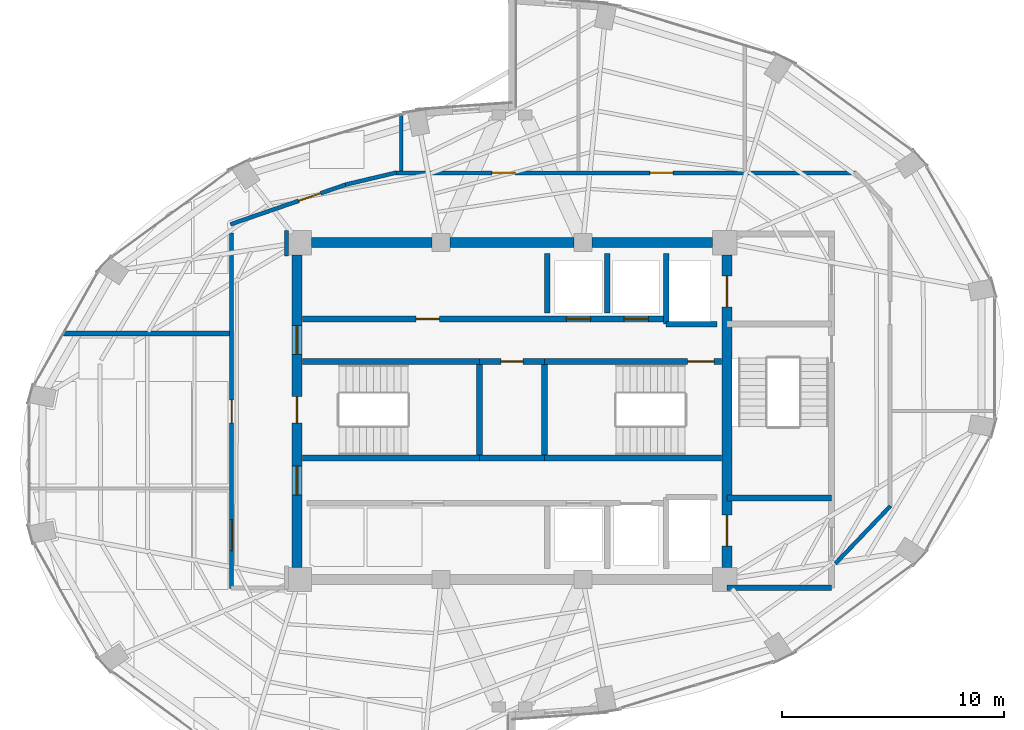
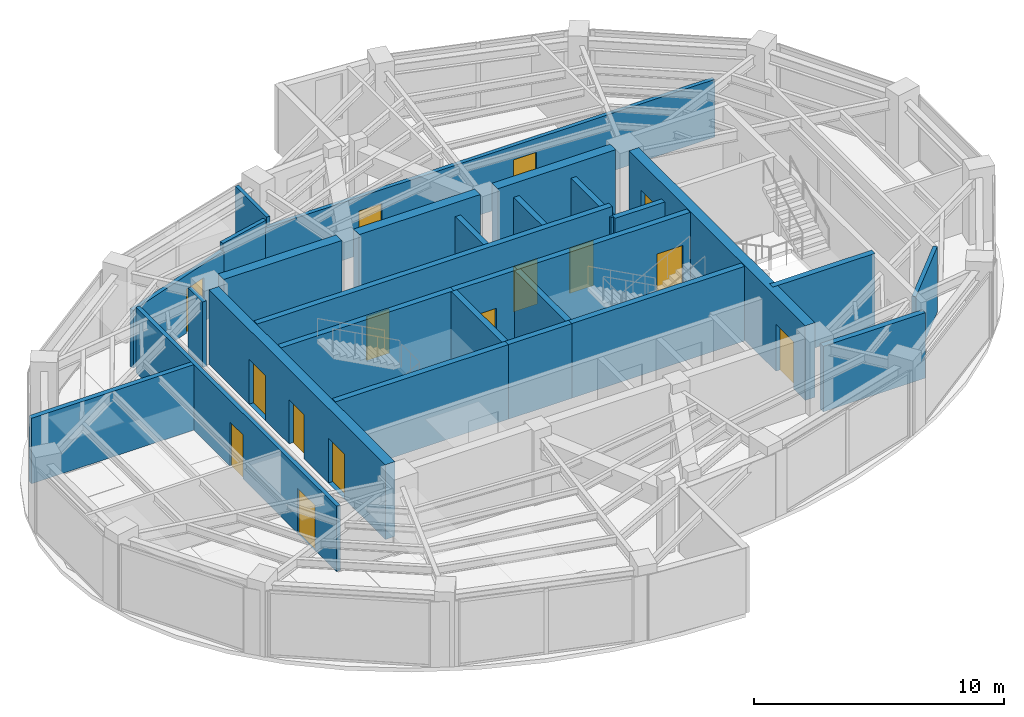
# One storey, part 19 of 22: 28 walls, 15 doors, 15 openings.
"""IFC4 building model written with IfcOpenShell, lengths in metres."""

from ifc_helpers import new_model, si_unit, direction, frame, frame_2d, origin, place, context, subcontext, project, spatial, rectangle, extrude, material, layer, layer_set, type_object, element, fill, save


model = new_model("IFC4")

# Units and contexts
model_context = context("Model", 3, precision=1e-05, world=origin(), true_north=direction((0.0, 1.0)))
body_context = subcontext(model_context, "Body", "Model", "MODEL_VIEW")
ifc_project = project(units=[si_unit("LENGTHUNIT", "METRE"), si_unit("AREAUNIT", "SQUARE_METRE"), si_unit("VOLUMEUNIT", "CUBIC_METRE"), si_unit("PLANEANGLEUNIT", "RADIAN"), si_unit("MASSUNIT", "GRAM", prefix="KILO")], contexts=[model_context])

# Site, building, storey
site_placement = place(None, origin())
site = spatial("IfcSite", under=ifc_project, at=site_placement, CompositionType="ELEMENT")
building_placement = place(site_placement, origin())
building = spatial("IfcBuilding", under=site, at=building_placement, Name="Lazwardi Medical Tower", CompositionType="ELEMENT")
storey_placement = place(building_placement, frame((0.0, 0.0, 242.256103515625)))
storey = spatial("IfcBuildingStorey", under=building, at=storey_placement, Name="L63", CompositionType="ELEMENT", Elevation=242.256103515625)

# Wall, opening, door
ifc_material_1 = material(Name="Fire-rated gypsum board on steel stud", Category="steel")
ifc_layer_1 = layer(ifc_material_1, 0.179931640625)
ifc_layer_set_1 = layer_set([ifc_layer_1], Name="Fire-rated gypsum board on steel stud")
wall_type_1 = type_object("IfcWallType", Name="WL-COR-180", PredefinedType="PARTITIONING", material=ifc_layer_set_1)
wall_1_placement = place(storey_placement, frame((23.294189453125, 36.422119140625, 0.0), z_axis=(0.0, 0.0, 1.0), x_axis=(0.945493277461, 0.325641616316, 0.0)))
wall_1 = element("IfcWall", 1, at=wall_1_placement, inside=storey, type_object=wall_type_1, Name="L63 Corridor partition 1", PredefinedType="PARTITIONING", context=body_context, shape_type="SweptSolid", body=[
    extrude(rectangle(XDim=5.5615234375, YDim=0.179931640625, at=frame_2d((2.78076171875, 0.0))), origin(), (0.0, 0.0, 1.0), 2.822998046875),
])
opening_1_placement = place(wall_1_placement, frame((3.255859375, 0.0, 0.0)))
opening_1 = element("IfcOpeningElement", 2, at=opening_1_placement, cuts=wall_1, Name="Opening D-L63-013", PredefinedType="OPENING", context=body_context, shape_type="SweptSolid", body=[
    extrude(rectangle(XDim=1.050048828125, YDim=2.14990234375, at=frame_2d((0.52490234375, 1.074951171875))), frame((0.0, 0.099853515625, 0.0), z_axis=(0.0, -1.0, 0.0), x_axis=(1.0, 0.0, 0.0)), (0.0, 0.0, 1.0), 0.199951171875),
])
ifc_material_2 = material(Name="Anti-microbial laminate hospital leaf")
door_type_1 = type_object("IfcDoorType", Name="DR-CLN-1050", OperationType="NOTDEFINED", PredefinedType="DOOR", material=ifc_material_2)
door_1_placement = place(opening_1_placement, origin())
door_1 = element("IfcDoor", 3, at=door_1_placement, inside=storey, type_object=door_type_1, Name="L63 Outpatient Clinic Door 06", OperationType="SINGLE_SWING_RIGHT", OverallHeight=2.14990234375, OverallWidth=1.050048828125, PredefinedType="DOOR", context=body_context, shape_type="SweptSolid", body=[
    extrude(rectangle(XDim=1.050048828125, YDim=2.14990234375, at=frame_2d((0.52490234375, 1.074951171875))), frame((0.0, 0.02490234375, 0.0), z_axis=(0.0, -1.0, 0.0), x_axis=(1.0, 0.0, 0.0)), (0.0, 0.0, 1.0), 0.050048828125),
])
fill(opening_1, door_1)

# Wall
wall_2_placement = place(storey_placement, frame((28.475830078125, 38.2109375, 0.0), z_axis=(0.0, 0.0, 1.0), x_axis=(0.973030562203, 0.230676234189, 0.0)))
element("IfcWall", 4, at=wall_2_placement, inside=storey, type_object=wall_type_1, Name="L63 Corridor partition 2", PredefinedType="PARTITIONING", context=body_context, shape_type="SweptSolid", body=[
    extrude(rectangle(XDim=2.377197265625, YDim=0.179931640625, at=frame_2d((1.1884765625, 0.0))), origin(), (0.0, 0.0, 1.0), 3.197998046875),
])

# Wall, openings, doors
wall_3_placement = place(storey_placement, frame((30.709716796875, 38.75, 0.0), z_axis=(0.0, 0.0, 1.0), x_axis=(1.0, 0.0, 0.0)))
wall_3 = element("IfcWall", 5, at=wall_3_placement, inside=storey, type_object=wall_type_1, Name="L63 Corridor partition 3", PredefinedType="PARTITIONING", context=body_context, shape_type="SweptSolid", body=[
    extrude(rectangle(XDim=20.8154296875, YDim=0.179931640625, at=frame_2d((10.40771484375, 0.0))), origin(), (0.0, 0.0, 1.0), 2.822998046875),
])
opening_2_placement = place(wall_3_placement, frame((11.51513671875, 0.0, 0.0)))
opening_2 = element("IfcOpeningElement", 6, at=opening_2_placement, cuts=wall_3, Name="Opening D-L63-011", PredefinedType="OPENING", context=body_context, shape_type="SweptSolid", body=[
    extrude(rectangle(XDim=1.050048828125, YDim=2.14990234375, at=frame_2d((0.52490234375, 1.074951171875))), frame((0.0, 0.099853515625, 0.0), z_axis=(0.0, -1.0, 0.0), x_axis=(1.0, 0.0, 0.0)), (0.0, 0.0, 1.0), 0.199951171875),
])
opening_3_placement = place(wall_3_placement, frame((4.379150390625, 0.0, 0.0)))
opening_3 = element("IfcOpeningElement", 7, at=opening_3_placement, cuts=wall_3, Name="Opening D-L63-012", PredefinedType="OPENING", context=body_context, shape_type="SweptSolid", body=[
    extrude(rectangle(XDim=1.050048828125, YDim=2.14990234375, at=frame_2d((0.52490234375, 1.074951171875))), frame((0.0, 0.099853515625, 0.0), z_axis=(0.0, -1.0, 0.0), x_axis=(1.0, 0.0, 0.0)), (0.0, 0.0, 1.0), 0.199951171875),
])
door_2_placement = place(opening_2_placement, origin())
door_2 = element("IfcDoor", 8, at=door_2_placement, inside=storey, type_object=door_type_1, Name="L63 Ward Dietetic Pantry Door 04", OperationType="SINGLE_SWING_RIGHT", OverallHeight=2.14990234375, OverallWidth=1.050048828125, PredefinedType="DOOR", context=body_context, shape_type="SweptSolid", body=[
    extrude(rectangle(XDim=1.050048828125, YDim=2.14990234375, at=frame_2d((0.52490234375, 1.074951171875))), frame((0.0, 0.02490234375, 0.0), z_axis=(0.0, -1.0, 0.0), x_axis=(1.0, 0.0, 0.0)), (0.0, 0.0, 1.0), 0.050048828125),
])
fill(opening_2, door_2)
door_3_placement = place(opening_3_placement, origin())
door_3 = element("IfcDoor", 9, at=door_3_placement, inside=storey, type_object=door_type_1, Name="L63 Outpatient Clinic Door 05", OperationType="SINGLE_SWING_LEFT", OverallHeight=2.14990234375, OverallWidth=1.050048828125, PredefinedType="DOOR", context=body_context, shape_type="SweptSolid", body=[
    extrude(rectangle(XDim=1.050048828125, YDim=2.14990234375, at=frame_2d((0.52490234375, 1.074951171875))), frame((0.0, 0.02490234375, 0.0), z_axis=(0.0, -1.0, 0.0), x_axis=(1.0, 0.0, 0.0)), (0.0, 0.0, 1.0), 0.050048828125),
])
fill(opening_3, door_3)

# Walls
wall_4_placement = place(storey_placement, frame((53.07763671875, 23.71435546875, 0.0), z_axis=(0.0, 0.0, 1.0), x_axis=(-0.691353379446, -0.722516785085, 0.0)))
element("IfcWall", 10, at=wall_4_placement, inside=storey, type_object=wall_type_1, Name="L63 Corridor partition 6", PredefinedType="PARTITIONING", context=body_context, shape_type="SweptSolid", body=[
    extrude(rectangle(XDim=3.603759765625, YDim=0.179931640625, at=frame_2d((1.8017578125, 0.0))), origin(), (0.0, 0.0, 1.0), 3.197998046875),
])
wall_5_placement = place(storey_placement, frame((25.830078125, 36.139892578125, 0.0), z_axis=(0.0, 0.0, 1.0), x_axis=(0.0, -1.0, 0.0)))
element("IfcWall", 11, at=wall_5_placement, inside=storey, type_object=wall_type_1, Name="L63 Corridor partition 7", PredefinedType="PARTITIONING", context=body_context, shape_type="SweptSolid", body=[
    extrude(rectangle(XDim=1.14990234375, YDim=0.179931640625, at=frame_2d((0.574951171875, 0.0))), origin(), (0.0, 0.0, 1.0), 3.197998046875),
])

# Wall, openings, doors
wall_6_placement = place(storey_placement, frame((23.35009765625, 19.97998046875, 0.0), z_axis=(0.0, 0.0, 1.0), x_axis=(0.0, 1.0, 0.0)))
wall_6 = element("IfcWall", 12, at=wall_6_placement, inside=storey, type_object=wall_type_1, Name="L63 Corridor partition 10", PredefinedType="PARTITIONING", context=body_context, shape_type="SweptSolid", body=[
    extrude(rectangle(XDim=16.04248046875, YDim=0.179931640625, at=frame_2d((8.021240234375, 0.0))), origin(), (0.0, 0.0, 1.0), 3.197998046875),
])
opening_4_placement = place(wall_6_placement, frame((7.4775390625, 0.0, 0.0)))
opening_4 = element("IfcOpeningElement", 13, at=opening_4_placement, cuts=wall_6, Name="Opening D-L63-008", PredefinedType="OPENING", context=body_context, shape_type="SweptSolid", body=[
    extrude(rectangle(XDim=1.050048828125, YDim=2.14990234375, at=frame_2d((0.52490234375, 1.074951171875))), frame((0.0, 0.099853515625, 0.0), z_axis=(0.0, -1.0, 0.0), x_axis=(1.0, 0.0, 0.0)), (0.0, 0.0, 1.0), 0.199951171875),
])
opening_5_placement = place(wall_6_placement, frame((1.718994140625, 0.0, 0.0)))
opening_5 = element("IfcOpeningElement", 14, at=opening_5_placement, cuts=wall_6, Name="Opening D-L63-009", PredefinedType="OPENING", context=body_context, shape_type="SweptSolid", body=[
    extrude(rectangle(XDim=1.39990234375, YDim=2.199951171875, at=frame_2d((0.699951171875, 1.10009765625))), frame((0.0, 0.099853515625, 0.0), z_axis=(0.0, -1.0, 0.0), x_axis=(1.0, 0.0, 0.0)), (0.0, 0.0, 1.0), 0.199951171875),
])
door_type_2 = type_object("IfcDoorType", Name="DR-BED-1400", OperationType="NOTDEFINED", PredefinedType="DOOR", material=ifc_material_2)
door_4_placement = place(opening_5_placement, origin())
door_4 = element("IfcDoor", 15, at=door_4_placement, inside=storey, type_object=door_type_2, Name="L63 Rehabilitation Gymnasium Door 02", OperationType="SINGLE_SWING_RIGHT", OverallHeight=2.199951171875, OverallWidth=1.39990234375, PredefinedType="DOOR", context=body_context, shape_type="SweptSolid", body=[
    extrude(rectangle(XDim=1.39990234375, YDim=2.199951171875, at=frame_2d((0.699951171875, 1.10009765625))), frame((0.0, 0.02490234375, 0.0), z_axis=(0.0, -1.0, 0.0), x_axis=(1.0, 0.0, 0.0)), (0.0, 0.0, 1.0), 0.050048828125),
])
fill(opening_5, door_4)
door_5_placement = place(opening_4_placement, origin())
door_5 = element("IfcDoor", 16, at=door_5_placement, inside=storey, type_object=door_type_1, Name="L63 Outpatient Clinic Door 01", OperationType="SINGLE_SWING_LEFT", OverallHeight=2.14990234375, OverallWidth=1.050048828125, PredefinedType="DOOR", context=body_context, shape_type="SweptSolid", body=[
    extrude(rectangle(XDim=1.050048828125, YDim=2.14990234375, at=frame_2d((0.52490234375, 1.074951171875))), frame((0.0, 0.02490234375, 0.0), z_axis=(0.0, -1.0, 0.0), x_axis=(1.0, 0.0, 0.0)), (0.0, 0.0, 1.0), 0.050048828125),
])
fill(opening_4, door_5)

ifc_material_3 = material(Name="Concrete C60/75", Category="concrete")
ifc_layer_2 = layer(ifc_material_3, 0.449951171875)
ifc_layer_set_2 = layer_set([ifc_layer_2], Name="Concrete C60/75")
wall_type_2 = type_object("IfcWallType", Name="WL-CORE-450", PredefinedType="SHEAR", material=ifc_layer_set_2)
wall_7_placement = place(storey_placement, frame((26.300048828125, 20.949951171875, 0.0), z_axis=(0.0, 0.0, 1.0), x_axis=(0.0, 1.0, 0.0)))
wall_7 = element("IfcWall", 17, at=wall_7_placement, inside=storey, type_object=wall_type_2, Name="Core wall CW-S4 west L63", PredefinedType="SHEAR", context=body_context, shape_type="SweptSolid", body=[
    extrude(rectangle(XDim=14.10009765625, YDim=0.449951171875, at=frame_2d((7.050048828125, 0.0))), origin(), (0.0, 0.0, 1.0), 3.64794921875),
])
opening_6_placement = place(wall_7_placement, frame((6.5, 0.0, 0.0)))
opening_6 = element("IfcOpeningElement", 18, at=opening_6_placement, cuts=wall_7, Name="Opening D-L63-014", PredefinedType="OPENING", context=body_context, shape_type="SweptSolid", body=[
    extrude(rectangle(XDim=1.199951171875, YDim=2.14990234375, at=frame_2d((0.60009765625, 1.074951171875))), frame((0.0, 0.23486328125, 0.0), z_axis=(0.0, -1.0, 0.0), x_axis=(1.0, 0.0, 0.0)), (0.0, 0.0, 1.0), 0.469970703125),
])
opening_7_placement = place(wall_7_placement, frame((9.60009765625, 0.0, 0.0)))
opening_7 = element("IfcOpeningElement", 19, at=opening_7_placement, cuts=wall_7, Name="Opening D-L63-006", PredefinedType="OPENING", context=body_context, shape_type="SweptSolid", body=[
    extrude(rectangle(XDim=1.300048828125, YDim=2.199951171875, at=frame_2d((0.64990234375, 1.10009765625))), frame((0.0, 0.23486328125, 0.0), z_axis=(0.0, -1.0, 0.0), x_axis=(1.0, 0.0, 0.0)), (0.0, 0.0, 1.0), 0.469970703125),
])
opening_8_placement = place(wall_7_placement, frame((3.260009765625, 0.0, 0.0)))
opening_8 = element("IfcOpeningElement", 20, at=opening_8_placement, cuts=wall_7, Name="Opening D-L63-007", PredefinedType="OPENING", context=body_context, shape_type="SweptSolid", body=[
    extrude(rectangle(XDim=1.300048828125, YDim=2.199951171875, at=frame_2d((0.64990234375, 1.10009765625))), frame((0.0, 0.23486328125, 0.0), z_axis=(0.0, -1.0, 0.0), x_axis=(1.0, 0.0, 0.0)), (0.0, 0.0, 1.0), 0.469970703125),
])
ifc_material_4 = material(Name="Fire-rated steel leaf and frame", Category="steel")
door_type_3 = type_object("IfcDoorType", Name="DR-FFL-1300", OperationType="NOTDEFINED", PredefinedType="DOOR", material=ifc_material_4)
door_6_placement = place(opening_7_placement, origin())
door_6 = element("IfcDoor", 21, at=door_6_placement, inside=storey, type_object=door_type_3, Name="L63 North Lift Lobby Door", OperationType="SINGLE_SWING_RIGHT", OverallHeight=2.199951171875, OverallWidth=1.300048828125, PredefinedType="DOOR", context=body_context, shape_type="SweptSolid", body=[
    extrude(rectangle(XDim=1.300048828125, YDim=2.199951171875, at=frame_2d((0.64990234375, 1.10009765625))), frame((0.0, 0.02490234375, 0.0), z_axis=(0.0, -1.0, 0.0), x_axis=(1.0, 0.0, 0.0)), (0.0, 0.0, 1.0), 0.050048828125),
])
fill(opening_7, door_6)
door_7_placement = place(opening_8_placement, origin())
door_7 = element("IfcDoor", 22, at=door_7_placement, inside=storey, type_object=door_type_3, Name="L63 South Lift Lobby Door", OperationType="SINGLE_SWING_LEFT", OverallHeight=2.199951171875, OverallWidth=1.300048828125, PredefinedType="DOOR", context=body_context, shape_type="SweptSolid", body=[
    extrude(rectangle(XDim=1.300048828125, YDim=2.199951171875, at=frame_2d((0.64990234375, 1.10009765625))), frame((0.0, 0.02490234375, 0.0), z_axis=(0.0, -1.0, 0.0), x_axis=(1.0, 0.0, 0.0)), (0.0, 0.0, 1.0), 0.050048828125),
])
fill(opening_8, door_7)
door_type_4 = type_object("IfcDoorType", Name="DR-STR-1200", OperationType="NOTDEFINED", PredefinedType="DOOR", material=ifc_material_4)
door_8_placement = place(opening_6_placement, origin())
door_8 = element("IfcDoor", 23, at=door_8_placement, inside=storey, type_object=door_type_4, Name="L63 Exit Stair ST1 Door", OperationType="SINGLE_SWING_LEFT", OverallHeight=2.14990234375, OverallWidth=1.199951171875, PredefinedType="DOOR", context=body_context, shape_type="SweptSolid", body=[
    extrude(rectangle(XDim=1.199951171875, YDim=2.14990234375, at=frame_2d((0.60009765625, 1.074951171875))), frame((0.0, 0.02490234375, 0.0), z_axis=(0.0, -1.0, 0.0), x_axis=(1.0, 0.0, 0.0)), (0.0, 0.0, 1.0), 0.050048828125),
])
fill(opening_6, door_8)

wall_8_placement = place(storey_placement, frame((45.699951171875, 20.949951171875, 0.0), z_axis=(0.0, 0.0, 1.0), x_axis=(0.0, 1.0, 0.0)))
wall_8 = element("IfcWall", 24, at=wall_8_placement, inside=storey, type_object=wall_type_2, Name="Core wall CW-S4 east L63", PredefinedType="SHEAR", context=body_context, shape_type="SweptSolid", body=[
    extrude(rectangle(XDim=14.10009765625, YDim=0.449951171875, at=frame_2d((7.050048828125, 0.0))), origin(), (0.0, 0.0, 1.0), 3.64794921875),
])
opening_9_placement = place(wall_8_placement, frame((11.75, 0.0, 0.0)))
opening_9 = element("IfcOpeningElement", 25, at=opening_9_placement, cuts=wall_8, Name="Opening LD-L63-001", PredefinedType="OPENING", context=body_context, shape_type="SweptSolid", body=[
    extrude(rectangle(XDim=1.39990234375, YDim=2.300048828125, at=frame_2d((0.699951171875, 1.14990234375))), frame((0.0, 0.23486328125, 0.0), z_axis=(0.0, -1.0, 0.0), x_axis=(1.0, 0.0, 0.0)), (0.0, 0.0, 1.0), 0.469970703125),
])
opening_10_placement = place(wall_8_placement, frame((0.949951171875, 0.0, 0.0)))
opening_10 = element("IfcOpeningElement", 26, at=opening_10_placement, cuts=wall_8, Name="Opening LD-L63-002", PredefinedType="OPENING", context=body_context, shape_type="SweptSolid", body=[
    extrude(rectangle(XDim=1.39990234375, YDim=2.300048828125, at=frame_2d((0.699951171875, 1.14990234375))), frame((0.0, 0.23486328125, 0.0), z_axis=(0.0, -1.0, 0.0), x_axis=(1.0, 0.0, 0.0)), (0.0, 0.0, 1.0), 0.469970703125),
])
ifc_material_5 = material(Name="Brushed stainless steel bed-lift landing door", Category="steel")
door_type_5 = type_object("IfcDoorType", Name="DR-LFT-1400", OperationType="NOTDEFINED", PredefinedType="DOOR", material=ifc_material_5)
door_9_placement = place(opening_9_placement, origin())
door_9 = element("IfcDoor", 27, at=door_9_placement, inside=storey, type_object=door_type_5, Name="L63 Lift Landing Door FL-01", OperationType="SLIDING_TO_LEFT", OverallHeight=2.300048828125, OverallWidth=1.39990234375, PredefinedType="DOOR", context=body_context, shape_type="SweptSolid", body=[
    extrude(rectangle(XDim=1.39990234375, YDim=2.300048828125, at=frame_2d((0.699951171875, 1.14990234375))), frame((0.0, 0.02490234375, 0.0), z_axis=(0.0, -1.0, 0.0), x_axis=(1.0, 0.0, 0.0)), (0.0, 0.0, 1.0), 0.050048828125),
])
fill(opening_9, door_9)
door_10_placement = place(opening_10_placement, origin())
door_10 = element("IfcDoor", 28, at=door_10_placement, inside=storey, type_object=door_type_5, Name="L63 Lift Landing Door FL-02", OperationType="SLIDING_TO_LEFT", OverallHeight=2.300048828125, OverallWidth=1.39990234375, PredefinedType="DOOR", context=body_context, shape_type="SweptSolid", body=[
    extrude(rectangle(XDim=1.39990234375, YDim=2.300048828125, at=frame_2d((0.699951171875, 1.14990234375))), frame((0.0, 0.02490234375, 0.0), z_axis=(0.0, -1.0, 0.0), x_axis=(1.0, 0.0, 0.0)), (0.0, 0.0, 1.0), 0.050048828125),
])
fill(opening_10, door_10)

# Walls
wall_9_placement = place(storey_placement, frame((26.949951171875, 35.60009765625, 0.0), z_axis=(0.0, 0.0, 1.0), x_axis=(1.0, 0.0, 0.0)))
element("IfcWall", 29, at=wall_9_placement, inside=storey, type_object=wall_type_2, Name="Core wall CW-S4 N1 L63", PredefinedType="SHEAR", context=body_context, shape_type="SweptSolid", body=[
    extrude(rectangle(XDim=5.449951171875, YDim=0.449951171875, at=frame_2d((2.72509765625, 0.0))), origin(), (0.0, 0.0, 1.0), 3.64794921875),
])
wall_10_placement = place(storey_placement, frame((33.199951171875, 35.60009765625, 0.0), z_axis=(0.0, 0.0, 1.0), x_axis=(1.0, 0.0, 0.0)))
element("IfcWall", 30, at=wall_10_placement, inside=storey, type_object=wall_type_2, Name="Core wall CW-S4 N2 L63", PredefinedType="SHEAR", context=body_context, shape_type="SweptSolid", body=[
    extrude(rectangle(XDim=5.60009765625, YDim=0.449951171875, at=frame_2d((2.800048828125, 0.0))), origin(), (0.0, 0.0, 1.0), 3.64794921875),
])
wall_11_placement = place(storey_placement, frame((39.60009765625, 35.60009765625, 0.0), z_axis=(0.0, 0.0, 1.0), x_axis=(1.0, 0.0, 0.0)))
element("IfcWall", 31, at=wall_11_placement, inside=storey, type_object=wall_type_2, Name="Core wall CW-S4 N3 L63", PredefinedType="SHEAR", context=body_context, shape_type="SweptSolid", body=[
    extrude(rectangle(XDim=5.449951171875, YDim=0.449951171875, at=frame_2d((2.72509765625, 0.0))), origin(), (0.0, 0.0, 1.0), 3.64794921875),
])
ifc_material_6 = material(Name="Autoclaved aerated concrete blockwork", Category="masonry")
ifc_layer_3 = layer(ifc_material_6, 0.25)
ifc_layer_set_3 = layer_set([ifc_layer_3], Name="Autoclaved aerated concrete blockwork")
wall_type_3 = type_object("IfcWallType", Name="WL-SHAFT-250", PredefinedType="SOLIDWALL", material=ifc_layer_set_3)
wall_12_placement = place(storey_placement, frame((42.949951171875, 31.919921875, 0.0), z_axis=(0.0, 0.0, 1.0), x_axis=(0.0, 1.0, 0.0)))
element("IfcWall", 32, at=wall_12_placement, inside=storey, type_object=wall_type_3, Name="L63 FL-01 West shaft wall", PredefinedType="SOLIDWALL", context=body_context, shape_type="SweptSolid", body=[
    extrude(rectangle(XDim=3.18017578125, YDim=0.25, at=frame_2d((1.590087890625, 0.0))), origin(), (0.0, 0.0, 1.0), 3.197998046875),
])
wall_13_placement = place(storey_placement, frame((42.949951171875, 31.919921875, 0.0), z_axis=(0.0, 0.0, 1.0), x_axis=(1.0, 0.0, 0.0)))
element("IfcWall", 33, at=wall_13_placement, inside=storey, type_object=wall_type_3, Name="L63 FL-01 South shaft wall", PredefinedType="SOLIDWALL", context=body_context, shape_type="SweptSolid", body=[
    extrude(rectangle(XDim=2.300048828125, YDim=0.25, at=frame_2d((1.14990234375, 0.0))), origin(), (0.0, 0.0, 1.0), 3.197998046875),
])
for number, where, z_axis, x_axis, name in (
    (34, (37.60009765625, 32.419921875, 0.0), (0.0, 0.0, 1.0), (0.0, 1.0, 0.0), "L63 North hoistway divider"),
    (35, (40.300048828125, 32.419921875, 0.0), (0.0, 0.0, 1.0), (0.0, 1.0, 0.0), "L63 North hoistway divider"),
):
    element("IfcWall", number, at=place(storey_placement, frame(where, z_axis=z_axis, x_axis=x_axis)), inside=storey, type_object=wall_type_3, Name=name, PredefinedType="SOLIDWALL", context=body_context, shape_type="SweptSolid", body=[
        extrude(rectangle(XDim=2.68017578125, YDim=0.25, at=frame_2d((1.340087890625, 0.0))), origin(), (0.0, 0.0, 1.0), 3.197998046875),
    ])
wall_14_placement = place(storey_placement, frame((45.699951171875, 20.02001953125, 0.0), z_axis=(0.0, 0.0, 1.0), x_axis=(1.0, 0.0, 0.0)))
element("IfcWall", 36, at=wall_14_placement, inside=storey, type_object=wall_type_3, Name="L63 FFL-S South wall", PredefinedType="SOLIDWALL", context=body_context, shape_type="SweptSolid", body=[
    extrude(rectangle(XDim=4.715087890625, YDim=0.25, at=frame_2d((2.357421875, 0.0))), origin(), (0.0, 0.0, 1.0), 3.197998046875),
])
ifc_layer_4 = layer(ifc_material_1, 0.219970703125)
ifc_layer_set_4 = layer_set([ifc_layer_4], Name="Fire-rated gypsum board on steel stud")
wall_type_4 = type_object("IfcWallType", Name="WL-SMK-220", PredefinedType="PARTITIONING", material=ifc_layer_set_4)
wall_15_placement = place(storey_placement, frame((15.764892578125, 31.5, 0.0), z_axis=(0.0, 0.0, 1.0), x_axis=(1.0, 0.0, 0.0)))
element("IfcWall", 37, at=wall_15_placement, inside=storey, type_object=wall_type_4, Name="L63 Room partition 2", PredefinedType="PARTITIONING", context=body_context, shape_type="SweptSolid", body=[
    extrude(rectangle(XDim=7.4951171875, YDim=0.219970703125, at=frame_2d((3.74755859375, 0.0))), origin(), (0.0, 0.0, 1.0), 3.197998046875),
])
ifc_material_7 = material(Name="Concrete C50/60", Category="concrete")
ifc_layer_5 = layer(ifc_material_7, 0.27001953125)
ifc_layer_set_5 = layer_set([ifc_layer_5], Name="Concrete C50/60")
wall_type_5 = type_object("IfcWallType", Name="WL-STR-250", PredefinedType="SHEAR", material=ifc_layer_set_5)
wall_16_placement = place(storey_placement, frame((26.550048828125, 30.235107421875, 0.0), z_axis=(0.0, 0.0, 1.0), x_axis=(1.0, 0.0, 0.0)))
element("IfcWall", 38, at=wall_16_placement, inside=storey, type_object=wall_type_5, Name="L63 ST1 North shear shaft wall SW-S1", PredefinedType="SHEAR", context=body_context, shape_type="SweptSolid", body=[
    extrude(rectangle(XDim=7.98486328125, YDim=0.27001953125, at=frame_2d((3.992431640625, 0.0))), origin(), (0.0, 0.0, 1.0), 3.64794921875),
])

# Wall, opening, door
wall_17_placement = place(storey_placement, frame((34.534912109375, 30.235107421875, 0.0), z_axis=(0.0, 0.0, 1.0), x_axis=(1.0, 0.0, 0.0)))
wall_17 = element("IfcWall", 39, at=wall_17_placement, inside=storey, type_object=wall_type_5, Name="L63 Core service North shear wall SW-S1", PredefinedType="SHEAR", context=body_context, shape_type="SweptSolid", body=[
    extrude(rectangle(XDim=2.93017578125, YDim=0.27001953125, at=frame_2d((1.465087890625, 0.0))), origin(), (0.0, 0.0, 1.0), 3.64794921875),
])
opening_11_placement = place(wall_17_placement, frame((0.965087890625, 0.0, 0.0)))
opening_11 = element("IfcOpeningElement", 40, at=opening_11_placement, cuts=wall_17, Name="Opening D-L63-001", PredefinedType="OPENING", context=body_context, shape_type="SweptSolid", body=[
    extrude(rectangle(XDim=1.0, YDim=2.10009765625, at=frame_2d((0.5, 1.050048828125))), frame((0.0, 0.14501953125, 0.0), z_axis=(0.0, -1.0, 0.0), x_axis=(1.0, 0.0, 0.0)), (0.0, 0.0, 1.0), 0.2900390625),
])
ifc_material_8 = material(Name="Moisture-resistant laminate door leaf")
door_type_6 = type_object("IfcDoorType", Name="DR-AWC-1000", OperationType="NOTDEFINED", PredefinedType="DOOR", material=ifc_material_8)
door_11_placement = place(opening_11_placement, origin())
door_11 = element("IfcDoor", 41, at=door_11_placement, inside=storey, type_object=door_type_6, Name="L63 Accessible WC Door", OperationType="SINGLE_SWING_LEFT", OverallHeight=2.10009765625, OverallWidth=1.0, PredefinedType="DOOR", context=body_context, shape_type="SweptSolid", body=[
    extrude(rectangle(XDim=1.0, YDim=2.10009765625, at=frame_2d((0.5, 1.050048828125))), frame((0.0, 0.02490234375, 0.0), z_axis=(0.0, -1.0, 0.0), x_axis=(1.0, 0.0, 0.0)), (0.0, 0.0, 1.0), 0.050048828125),
])
fill(opening_11, door_11)

wall_18_placement = place(storey_placement, frame((37.465087890625, 30.235107421875, 0.0), z_axis=(0.0, 0.0, 1.0), x_axis=(1.0, 0.0, 0.0)))
wall_18 = element("IfcWall", 42, at=wall_18_placement, inside=storey, type_object=wall_type_5, Name="L63 ST2 North shear shaft wall SW-S1", PredefinedType="SHEAR", context=body_context, shape_type="SweptSolid", body=[
    extrude(rectangle(XDim=7.98486328125, YDim=0.27001953125, at=frame_2d((3.992431640625, 0.0))), origin(), (0.0, 0.0, 1.0), 3.64794921875),
])
opening_12_placement = place(wall_18_placement, frame((6.455078125, 0.0, 0.0)))
opening_12 = element("IfcOpeningElement", 43, at=opening_12_placement, cuts=wall_18, Name="Opening D-L63-015", PredefinedType="OPENING", context=body_context, shape_type="SweptSolid", body=[
    extrude(rectangle(XDim=1.199951171875, YDim=2.14990234375, at=frame_2d((0.60009765625, 1.074951171875))), frame((0.0, 0.14501953125, 0.0), z_axis=(0.0, -1.0, 0.0), x_axis=(1.0, 0.0, 0.0)), (0.0, 0.0, 1.0), 0.2900390625),
])
door_12_placement = place(opening_12_placement, origin())
door_12 = element("IfcDoor", 44, at=door_12_placement, inside=storey, type_object=door_type_4, Name="L63 Exit Stair ST2 Door", OperationType="SINGLE_SWING_RIGHT", OverallHeight=2.14990234375, OverallWidth=1.199951171875, PredefinedType="DOOR", context=body_context, shape_type="SweptSolid", body=[
    extrude(rectangle(XDim=1.199951171875, YDim=2.14990234375, at=frame_2d((0.60009765625, 1.074951171875))), frame((0.0, 0.02490234375, 0.0), z_axis=(0.0, -1.0, 0.0), x_axis=(1.0, 0.0, 0.0)), (0.0, 0.0, 1.0), 0.050048828125),
])
fill(opening_12, door_12)

# Walls
wall_19_placement = place(storey_placement, frame((26.550048828125, 25.885009765625, 0.0), z_axis=(0.0, 0.0, 1.0), x_axis=(1.0, 0.0, 0.0)))
element("IfcWall", 45, at=wall_19_placement, inside=storey, type_object=wall_type_5, Name="L63 ST1 South shear shaft wall SW-S1", PredefinedType="SHEAR", context=body_context, shape_type="SweptSolid", body=[
    extrude(rectangle(XDim=7.98486328125, YDim=0.27001953125, at=frame_2d((3.992431640625, 0.0))), origin(), (0.0, 0.0, 1.0), 3.64794921875),
])
wall_20_placement = place(storey_placement, frame((34.534912109375, 25.885009765625, 0.0), z_axis=(0.0, 0.0, 1.0), x_axis=(1.0, 0.0, 0.0)))
element("IfcWall", 46, at=wall_20_placement, inside=storey, type_object=wall_type_5, Name="L63 Core service South shear wall SW-S1", PredefinedType="SHEAR", context=body_context, shape_type="SweptSolid", body=[
    extrude(rectangle(XDim=2.93017578125, YDim=0.27001953125, at=frame_2d((1.465087890625, 0.0))), origin(), (0.0, 0.0, 1.0), 3.64794921875),
])
wall_21_placement = place(storey_placement, frame((37.465087890625, 25.885009765625, 0.0), z_axis=(0.0, 0.0, 1.0), x_axis=(1.0, 0.0, 0.0)))
element("IfcWall", 47, at=wall_21_placement, inside=storey, type_object=wall_type_5, Name="L63 ST2 South shear shaft wall SW-S1", PredefinedType="SHEAR", context=body_context, shape_type="SweptSolid", body=[
    extrude(rectangle(XDim=7.98486328125, YDim=0.27001953125, at=frame_2d((3.992431640625, 0.0))), origin(), (0.0, 0.0, 1.0), 3.64794921875),
])
for number, where, z_axis, x_axis, name in (
    (48, (34.534912109375, 26.02001953125, 0.0), (0.0, 0.0, 1.0), (0.0, 1.0, 0.0), "L63 ST1 East shear shaft wall SW-S1"),
    (49, (37.465087890625, 26.02001953125, 0.0), (0.0, 0.0, 1.0), (0.0, 1.0, 0.0), "L63 ST2 West shear shaft wall SW-S1"),
):
    element("IfcWall", number, at=place(storey_placement, frame(where, z_axis=z_axis, x_axis=x_axis)), inside=storey, type_object=wall_type_5, Name=name, PredefinedType="SHEAR", context=body_context, shape_type="SweptSolid", body=[
        extrude(rectangle(XDim=4.080078125, YDim=0.27001953125, at=frame_2d((2.0400390625, 0.0))), origin(), (0.0, 0.0, 1.0), 3.64794921875),
    ])

# Wall, openings, doors
wall_22_placement = place(storey_placement, frame((26.550048828125, 32.14990234375, 0.0), z_axis=(0.0, 0.0, 1.0), x_axis=(1.0, 0.0, 0.0)))
wall_22 = element("IfcWall", 50, at=wall_22_placement, inside=storey, type_object=wall_type_5, Name="L63 North lift bank shear wall SW-S1", PredefinedType="SHEAR", context=body_context, shape_type="SweptSolid", body=[
    extrude(rectangle(XDim=16.39990234375, YDim=0.27001953125, at=frame_2d((8.199951171875, 0.0))), origin(), (0.0, 0.0, 1.0), 3.64794921875),
])
opening_13_placement = place(wall_22_placement, frame((5.125, 0.0, 0.0)))
opening_13 = element("IfcOpeningElement", 51, at=opening_13_placement, cuts=wall_22, Name="Opening D-L63-002", PredefinedType="OPENING", context=body_context, shape_type="SweptSolid", body=[
    extrude(rectangle(XDim=1.050048828125, YDim=2.14990234375, at=frame_2d((0.52490234375, 1.074951171875))), frame((0.0, 0.14501953125, 0.0), z_axis=(0.0, -1.0, 0.0), x_axis=(1.0, 0.0, 0.0)), (0.0, 0.0, 1.0), 0.2900390625),
])
opening_14_placement = place(wall_22_placement, frame((11.89990234375, 0.0, 0.0)))
opening_14 = element("IfcOpeningElement", 52, at=opening_14_placement, cuts=wall_22, Name="Opening LD-L63-004", PredefinedType="OPENING", context=body_context, shape_type="SweptSolid", body=[
    extrude(rectangle(XDim=1.10009765625, YDim=2.199951171875, at=frame_2d((0.550048828125, 1.10009765625))), frame((0.0, 0.14501953125, 0.0), z_axis=(0.0, -1.0, 0.0), x_axis=(1.0, 0.0, 0.0)), (0.0, 0.0, 1.0), 0.2900390625),
])
opening_15_placement = place(wall_22_placement, frame((14.5, 0.0, 0.0)))
opening_15 = element("IfcOpeningElement", 53, at=opening_15_placement, cuts=wall_22, Name="Opening LD-L63-005", PredefinedType="OPENING", context=body_context, shape_type="SweptSolid", body=[
    extrude(rectangle(XDim=1.10009765625, YDim=2.199951171875, at=frame_2d((0.550048828125, 1.10009765625))), frame((0.0, 0.14501953125, 0.0), z_axis=(0.0, -1.0, 0.0), x_axis=(1.0, 0.0, 0.0)), (0.0, 0.0, 1.0), 0.2900390625),
])
door_13_placement = place(opening_13_placement, origin())
door_13 = element("IfcDoor", 54, at=door_13_placement, inside=storey, type_object=door_type_1, Name="L63 Core North Suite Door", OperationType="SINGLE_SWING_RIGHT", OverallHeight=2.14990234375, OverallWidth=1.050048828125, PredefinedType="DOOR", context=body_context, shape_type="SweptSolid", body=[
    extrude(rectangle(XDim=1.050048828125, YDim=2.14990234375, at=frame_2d((0.52490234375, 1.074951171875))), frame((0.0, 0.02490234375, 0.0), z_axis=(0.0, -1.0, 0.0), x_axis=(1.0, 0.0, 0.0)), (0.0, 0.0, 1.0), 0.050048828125),
])
fill(opening_13, door_13)
ifc_material_9 = material(Name="Brushed bronze stainless steel landing door", Category="steel")
door_type_7 = type_object("IfcDoorType", Name="DR-LFT-1100", OperationType="NOTDEFINED", PredefinedType="DOOR", material=ifc_material_9)
door_14_placement = place(opening_14_placement, origin())
door_14 = element("IfcDoor", 55, at=door_14_placement, inside=storey, type_object=door_type_7, Name="L63 Lift Landing Door PL-09", OperationType="SLIDING_TO_LEFT", OverallHeight=2.199951171875, OverallWidth=1.10009765625, PredefinedType="DOOR", context=body_context, shape_type="SweptSolid", body=[
    extrude(rectangle(XDim=1.10009765625, YDim=2.199951171875, at=frame_2d((0.550048828125, 1.10009765625))), frame((0.0, 0.02490234375, 0.0), z_axis=(0.0, -1.0, 0.0), x_axis=(1.0, 0.0, 0.0)), (0.0, 0.0, 1.0), 0.050048828125),
])
fill(opening_14, door_14)
door_15_placement = place(opening_15_placement, origin())
door_15 = element("IfcDoor", 56, at=door_15_placement, inside=storey, type_object=door_type_7, Name="L63 Lift Landing Door PL-10", OperationType="SLIDING_TO_LEFT", OverallHeight=2.199951171875, OverallWidth=1.10009765625, PredefinedType="DOOR", context=body_context, shape_type="SweptSolid", body=[
    extrude(rectangle(XDim=1.10009765625, YDim=2.199951171875, at=frame_2d((0.550048828125, 1.10009765625))), frame((0.0, 0.02490234375, 0.0), z_axis=(0.0, -1.0, 0.0), x_axis=(1.0, 0.0, 0.0)), (0.0, 0.0, 1.0), 0.050048828125),
])
fill(opening_15, door_15)

# Walls
wall_23_placement = place(storey_placement, frame((45.699951171875, 24.06494140625, 0.0), z_axis=(0.0, 0.0, 1.0), x_axis=(1.0, 0.0, 0.0)))
element("IfcWall", 57, at=wall_23_placement, inside=storey, type_object=wall_type_5, Name="L63 ST3 South shear shaft wall SW-S1", PredefinedType="SHEAR", context=body_context, shape_type="SweptSolid", body=[
    extrude(rectangle(XDim=4.715087890625, YDim=0.27001953125, at=frame_2d((2.357421875, 0.0))), origin(), (0.0, 0.0, 1.0), 3.64794921875),
])
ifc_material_10 = material(Name="Acoustic gypsum board partition")
ifc_layer_6 = layer(ifc_material_10, 0.14990234375)
ifc_layer_set_6 = layer_set([ifc_layer_6], Name="Acoustic gypsum board partition")
wall_type_6 = type_object("IfcWallType", Name="WL-WRD-150", PredefinedType="PARTITIONING", material=ifc_layer_set_6)
wall_24_placement = place(storey_placement, frame((31.0, 38.840087890625, 0.0), z_axis=(0.0, 0.0, 1.0), x_axis=(0.0, 1.0, 0.0)))
element("IfcWall", 58, at=wall_24_placement, inside=storey, type_object=wall_type_6, Name="L63 Room partition 4", PredefinedType="PARTITIONING", context=body_context, shape_type="SweptSolid", body=[
    extrude(rectangle(XDim=2.511474609375, YDim=0.14990234375, at=frame_2d((1.255859375, 0.0))), origin(), (0.0, 0.0, 1.0), 3.197998046875),
])

save(model, "model.ifc")
